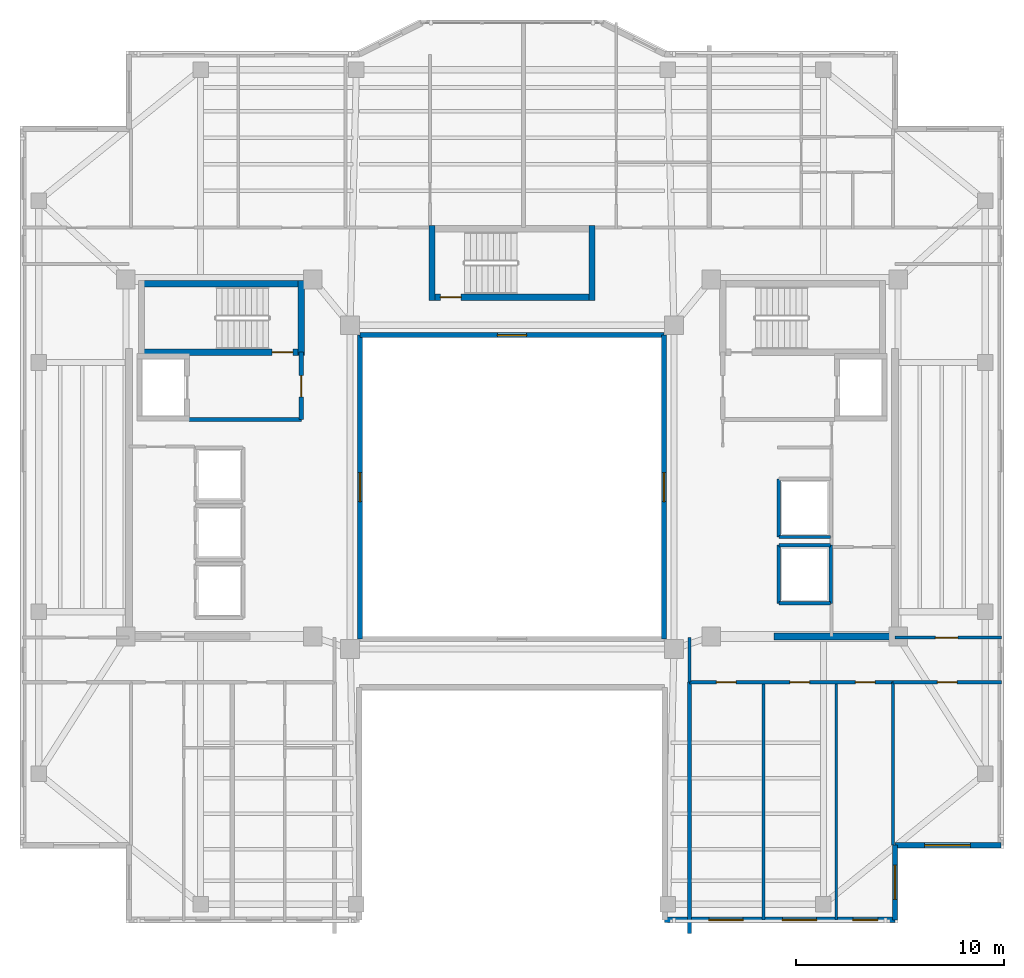
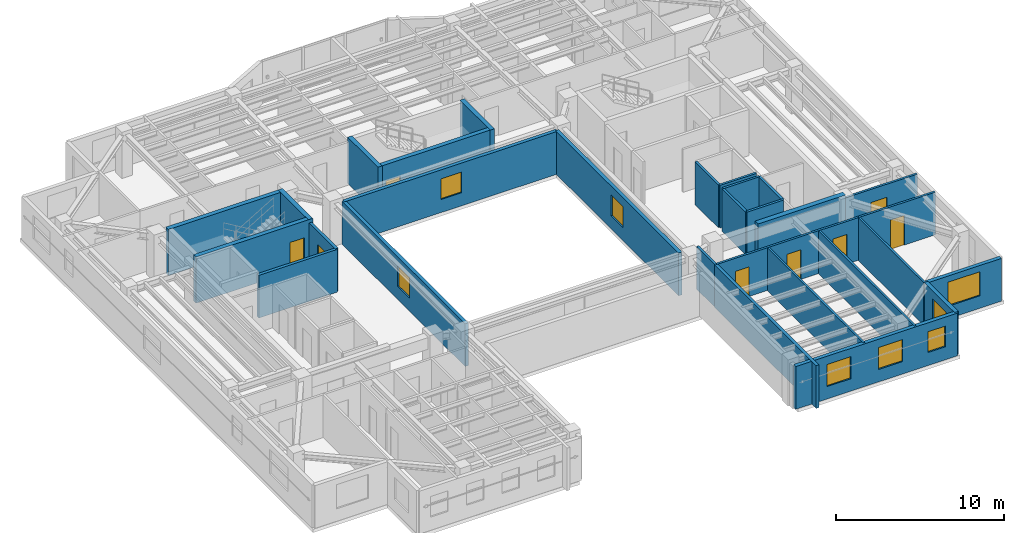
# One storey, part 5 of 11: 29 walls, 8 doors, 8 windows, 16 openings.
"""IFC4 building model written with IfcOpenShell, lengths in metres."""

from ifc_helpers import new_model, si_unit, direction, frame, frame_2d, origin, place, context, subcontext, project, spatial, rectangle, extrude, material, layer, layer_set, type_object, element, fill, save


model = new_model("IFC4")

# Units and contexts
model_context = context("Model", 3, precision=1e-05, world=origin(), true_north=direction((0.0, 1.0)))
body_context = subcontext(model_context, "Body", "Model", "MODEL_VIEW")
ifc_project = project(units=[si_unit("LENGTHUNIT", "METRE"), si_unit("AREAUNIT", "SQUARE_METRE"), si_unit("VOLUMEUNIT", "CUBIC_METRE"), si_unit("PLANEANGLEUNIT", "RADIAN"), si_unit("MASSUNIT", "GRAM", prefix="KILO")], contexts=[model_context])

# Site, building, storey
site_placement = place(None, origin())
site = spatial("IfcSite", under=ifc_project, at=site_placement, CompositionType="ELEMENT")
building_placement = place(site_placement, origin())
building = spatial("IfcBuilding", under=site, at=building_placement, Name="Tarnavaz Court Tower", CompositionType="ELEMENT")
storey_placement = place(building_placement, frame((0.0, 0.0, 213.699951171875)))
storey = spatial("IfcBuildingStorey", under=building, at=storey_placement, Name="L58", CompositionType="ELEMENT", Elevation=213.699951171875)

# Wall
ifc_material_1 = material(Name="Concrete C50/60", Category="concrete")
ifc_layer_1 = layer(ifc_material_1, 0.300048828125)
ifc_layer_set_1 = layer_set([ifc_layer_1], Name="Concrete C50/60")
wall_type_1 = type_object("IfcWallType", Name="WL-CORE-300-C50", PredefinedType="SHEAR", material=ifc_layer_set_1)
wall_1_placement = place(storey_placement, frame((-18.0, 9.7900390625, 0.0), z_axis=(0.0, 0.0, 1.0), x_axis=(1.0, 0.0, 0.0)))
element("IfcWall", 1, at=wall_1_placement, inside=storey, type_object=wall_type_1, Name="L58 West Stair Core Wall 001", PredefinedType="SHEAR", context=body_context, shape_type="SweptSolid", body=[
    extrude(rectangle(XDim=8.0, YDim=0.300048828125, at=frame_2d((4.0, 0.0))), origin(), (0.0, 0.0, 1.0), 3.35009765625),
])

# Wall, opening, door
wall_2_placement = place(storey_placement, frame((-18.0, 6.5, 0.0), z_axis=(0.0, 0.0, 1.0), x_axis=(1.0, 0.0, 0.0)))
wall_2 = element("IfcWall", 2, at=wall_2_placement, inside=storey, type_object=wall_type_1, Name="L58 West Stair Core Wall 002", PredefinedType="SHEAR", context=body_context, shape_type="SweptSolid", body=[
    extrude(rectangle(XDim=8.0, YDim=0.300048828125, at=frame_2d((4.0, 0.0))), origin(), (0.0, 0.0, 1.0), 3.35009765625),
])
opening_1_placement = place(wall_2_placement, frame((6.449951171875, 0.0, 0.0)))
opening_1 = element("IfcOpeningElement", 3, at=opening_1_placement, cuts=wall_2, Name="Opening D01", PredefinedType="OPENING", context=body_context, shape_type="SweptSolid", body=[
    extrude(rectangle(XDim=1.0, YDim=2.14990234375, at=frame_2d((0.5, 1.074951171875))), frame((0.0, 0.159912109375, 0.0), z_axis=(0.0, -1.0, 0.0), x_axis=(1.0, 0.0, 0.0)), (0.0, 0.0, 1.0), 0.320068359375),
])
ifc_material_2 = material(Name="Fire-Rated Hardwood Timber Core", Category="wood")
door_type_1 = type_object("IfcDoorType", Name="DR-FD90-1000", OperationType="NOTDEFINED", PredefinedType="DOOR", material=ifc_material_2)
door_1_placement = place(opening_1_placement, origin())
door_1 = element("IfcDoor", 4, at=door_1_placement, inside=storey, type_object=door_type_1, Name="L58 Stair ST-W1 Exit Door", OperationType="SINGLE_SWING_LEFT", OverallHeight=2.14990234375, OverallWidth=1.0, PredefinedType="DOOR", context=body_context, shape_type="SweptSolid", body=[
    extrude(rectangle(XDim=1.0, YDim=2.14990234375, at=frame_2d((0.5, 1.074951171875))), frame((0.0, 0.02490234375, 0.0), z_axis=(0.0, -1.0, 0.0), x_axis=(1.0, 0.0, 0.0)), (0.0, 0.0, 1.0), 0.050048828125),
])
fill(opening_1, door_1)

# Wall
wall_3_placement = place(storey_placement, frame((-10.14990234375, 6.35009765625, 0.0), z_axis=(0.0, 0.0, 1.0), x_axis=(0.0, 1.0, 0.0)))
element("IfcWall", 5, at=wall_3_placement, inside=storey, type_object=wall_type_1, Name="L58 West Stair Core Wall 004", PredefinedType="SHEAR", context=body_context, shape_type="SweptSolid", body=[
    extrude(rectangle(XDim=3.58984375, YDim=0.300048828125, at=frame_2d((1.794921875, 0.0))), origin(), (0.0, 0.0, 1.0), 3.35009765625),
])

# Wall, opening, door
wall_4_placement = place(storey_placement, frame((-4.0, 9.14990234375, 0.0), z_axis=(0.0, 0.0, 1.0), x_axis=(1.0, 0.0, 0.0)))
wall_4 = element("IfcWall", 6, at=wall_4_placement, inside=storey, type_object=wall_type_1, Name="L58 North Stair Core Wall 010", PredefinedType="SHEAR", context=body_context, shape_type="SweptSolid", body=[
    extrude(rectangle(XDim=8.0, YDim=0.300048828125, at=frame_2d((4.0, 0.0))), origin(), (0.0, 0.0, 1.0), 3.35009765625),
])
opening_2_placement = place(wall_4_placement, frame((0.550048828125, 0.0, 0.0)))
opening_2 = element("IfcOpeningElement", 7, at=opening_2_placement, cuts=wall_4, Name="Opening D01", PredefinedType="OPENING", context=body_context, shape_type="SweptSolid", body=[
    extrude(rectangle(XDim=1.0, YDim=2.14990234375, at=frame_2d((0.5, 1.074951171875))), frame((0.0, 0.159912109375, 0.0), z_axis=(0.0, -1.0, 0.0), x_axis=(1.0, 0.0, 0.0)), (0.0, 0.0, 1.0), 0.320068359375),
])
door_2_placement = place(opening_2_placement, origin())
door_2 = element("IfcDoor", 8, at=door_2_placement, inside=storey, type_object=door_type_1, Name="L58 Stair ST-N1 Exit Door", OperationType="SINGLE_SWING_LEFT", OverallHeight=2.14990234375, OverallWidth=1.0, PredefinedType="DOOR", context=body_context, shape_type="SweptSolid", body=[
    extrude(rectangle(XDim=1.0, YDim=2.14990234375, at=frame_2d((0.5, 1.074951171875))), frame((0.0, 0.02490234375, 0.0), z_axis=(0.0, -1.0, 0.0), x_axis=(1.0, 0.0, 0.0)), (0.0, 0.0, 1.0), 0.050048828125),
])
fill(opening_2, door_2)

# Walls
for number, where, z_axis, x_axis, name in (
    (9, (-3.85009765625, 9.0, 0.0), (0.0, 0.0, 1.0), (0.0, 1.0, 0.0), "L58 North Stair Core Wall 011"),
    (10, (3.85009765625, 9.0, 0.0), (0.0, 0.0, 1.0), (0.0, 1.0, 0.0), "L58 North Stair Core Wall 012"),
):
    element("IfcWall", number, at=place(storey_placement, frame(where, z_axis=z_axis, x_axis=x_axis)), inside=storey, type_object=wall_type_1, Name=name, PredefinedType="SHEAR", context=body_context, shape_type="SweptSolid", body=[
        extrude(rectangle(XDim=3.590087890625, YDim=0.300048828125, at=frame_2d((1.794921875, 0.0))), origin(), (0.0, 0.0, 1.0), 3.35009765625),
    ])
ifc_layer_2 = layer(ifc_material_1, 0.35009765625)
ifc_layer_set_2 = layer_set([ifc_layer_2], Name="Concrete C50/60")
wall_type_2 = type_object("IfcWallType", Name="WL-CORE-350-C50", PredefinedType="SHEAR", material=ifc_layer_set_2)
wall_5_placement = place(storey_placement, frame((12.625, -7.199951171875, 0.0), z_axis=(0.0, 0.0, 1.0), x_axis=(1.0, 0.0, 0.0)))
element("IfcWall", 11, at=wall_5_placement, inside=storey, type_object=wall_type_2, Name="L58 East Core South Shear Wall 048", PredefinedType="SHEAR", context=body_context, shape_type="SweptSolid", body=[
    extrude(rectangle(XDim=6.0, YDim=0.35009765625, at=frame_2d((3.0, 0.0))), origin(), (0.0, 0.0, 1.0), 3.35009765625),
])

# Wall, opening, window
ifc_material_3 = material(Name="Precast Concrete C40/50", Category="concrete")
ifc_layer_3 = layer(ifc_material_3, 0.260009765625)
ifc_layer_set_3 = layer_set([ifc_layer_3], Name="Precast Concrete C40/50")
wall_type_3 = type_object("IfcWallType", Name="WL-EXT-260", PredefinedType="SOLIDWALL", material=ifc_layer_set_3)
wall_6_placement = place(storey_placement, frame((23.550048828125, -17.25, 0.0), z_axis=(0.0, 0.0, 1.0), x_axis=(-1.0, 0.0, 0.0)))
wall_6 = element("IfcWall", 12, at=wall_6_placement, inside=storey, type_object=wall_type_3, Name="L58 Exterior Terracotta Facade Wall 13", PredefinedType="SOLIDWALL", context=body_context, shape_type="SweptSolid", body=[
    extrude(rectangle(XDim=5.10009765625, YDim=0.260009765625, at=frame_2d((2.550048828125, 0.0))), origin(), (0.0, 0.0, 1.0), 3.10009765625),
])
opening_3_placement = place(wall_6_placement, frame((1.47509765625, 0.0, 0.89990234375)))
opening_3 = element("IfcOpeningElement", 13, at=opening_3_placement, cuts=wall_6, Name="Opening W07", PredefinedType="OPENING", context=body_context, shape_type="SweptSolid", body=[
    extrude(rectangle(XDim=2.199951171875, YDim=1.75, at=frame_2d((1.10009765625, 0.875))), frame((0.0, 0.139892578125, 0.0), z_axis=(0.0, -1.0, 0.0), x_axis=(1.0, 0.0, 0.0)), (0.0, 0.0, 1.0), 0.280029296875),
])
ifc_material_4 = material(Name="Double-Glazed Solar Low-E Glass", Category="glass")
window_type_1 = type_object("IfcWindowType", Name="WN-APT-2200", PartitioningType="TRIPLE_PANEL_VERTICAL", PredefinedType="WINDOW", material=ifc_material_4)
window_1_placement = place(opening_3_placement, origin())
window_1 = element("IfcWindow", 14, at=window_1_placement, inside=storey, type_object=window_type_1, Name="L58 South-East Corner Reading Room Window", OverallHeight=1.75, OverallWidth=2.199951171875, PartitioningType="SINGLE_PANEL", PredefinedType="WINDOW", context=body_context, shape_type="SweptSolid", body=[
    extrude(rectangle(XDim=2.199951171875, YDim=1.75, at=frame_2d((1.10009765625, 0.875))), frame((0.0, 0.030029296875, 0.0), z_axis=(0.0, -1.0, 0.0), x_axis=(1.0, 0.0, 0.0)), (0.0, 0.0, 1.0), 0.06005859375),
])
fill(opening_3, window_1)

wall_7_placement = place(storey_placement, frame((18.449951171875, -17.25, 0.0), z_axis=(0.0, 0.0, 1.0), x_axis=(0.0, -1.0, 0.0)))
wall_7 = element("IfcWall", 15, at=wall_7_placement, inside=storey, type_object=wall_type_3, Name="L58 Exterior Terracotta Facade Wall 14", PredefinedType="SOLIDWALL", context=body_context, shape_type="SweptSolid", body=[
    extrude(rectangle(XDim=3.60009765625, YDim=0.260009765625, at=frame_2d((1.800048828125, 0.0))), origin(), (0.0, 0.0, 1.0), 3.10009765625),
])
opening_4_placement = place(wall_7_placement, frame((0.95751953125, 0.0, 0.89990234375)))
opening_4 = element("IfcOpeningElement", 16, at=opening_4_placement, cuts=wall_7, Name="Opening W02", PredefinedType="OPENING", context=body_context, shape_type="SweptSolid", body=[
    extrude(rectangle(XDim=1.64990234375, YDim=1.60009765625, at=frame_2d((0.824951171875, 0.800048828125))), frame((0.0, 0.139892578125, 0.0), z_axis=(0.0, -1.0, 0.0), x_axis=(1.0, 0.0, 0.0)), (0.0, 0.0, 1.0), 0.280029296875),
])
window_type_2 = type_object("IfcWindowType", Name="WN-APT-1650", PartitioningType="DOUBLE_PANEL_VERTICAL", PredefinedType="WINDOW", material=ifc_material_4)
window_2_placement = place(opening_4_placement, origin())
window_2 = element("IfcWindow", 17, at=window_2_placement, inside=storey, type_object=window_type_2, Name="L58 Shared Community Tea Pantry Window", OverallHeight=1.60009765625, OverallWidth=1.64990234375, PartitioningType="SINGLE_PANEL", PredefinedType="WINDOW", context=body_context, shape_type="SweptSolid", body=[
    extrude(rectangle(XDim=1.64990234375, YDim=1.60009765625, at=frame_2d((0.824951171875, 0.800048828125))), frame((0.0, 0.030029296875, 0.0), z_axis=(0.0, -1.0, 0.0), x_axis=(1.0, 0.0, 0.0)), (0.0, 0.0, 1.0), 0.06005859375),
])
fill(opening_4, window_2)

# Wall, openings, windows
wall_8_placement = place(storey_placement, frame((18.449951171875, -20.85009765625, 0.0), z_axis=(0.0, 0.0, 1.0), x_axis=(-1.0, 0.0, 0.0)))
wall_8 = element("IfcWall", 18, at=wall_8_placement, inside=storey, type_object=wall_type_3, Name="L58 Exterior Terracotta Facade Wall 15", PredefinedType="SOLIDWALL", context=body_context, shape_type="SweptSolid", body=[
    extrude(rectangle(XDim=11.099853515625, YDim=0.260009765625, at=frame_2d((5.5498046875, 0.0))), origin(), (0.0, 0.0, 1.0), 3.10009765625),
])
opening_5_placement = place(wall_8_placement, frame((0.831298828125, 0.0, 0.949951171875)))
opening_5 = element("IfcOpeningElement", 19, at=opening_5_placement, cuts=wall_8, Name="Opening W05", PredefinedType="OPENING", context=body_context, shape_type="SweptSolid", body=[
    extrude(rectangle(XDim=1.199951171875, YDim=1.5, at=frame_2d((0.60009765625, 0.75))), frame((0.0, 0.139892578125, 0.0), z_axis=(0.0, -1.0, 0.0), x_axis=(1.0, 0.0, 0.0)), (0.0, 0.0, 1.0), 0.280029296875),
])
opening_6_placement = place(wall_8_placement, frame((3.770751953125, 0.0, 0.89990234375)))
opening_6 = element("IfcOpeningElement", 20, at=opening_6_placement, cuts=wall_8, Name="Opening W02", PredefinedType="OPENING", context=body_context, shape_type="SweptSolid", body=[
    extrude(rectangle(XDim=1.64990234375, YDim=1.60009765625, at=frame_2d((0.824951171875, 0.800048828125))), frame((0.0, 0.139892578125, 0.0), z_axis=(0.0, -1.0, 0.0), x_axis=(1.0, 0.0, 0.0)), (0.0, 0.0, 1.0), 0.280029296875),
])
opening_7_placement = place(wall_8_placement, frame((7.311767578125, 0.0, 0.89990234375)))
opening_7 = element("IfcOpeningElement", 21, at=opening_7_placement, cuts=wall_8, Name="Opening W02", PredefinedType="OPENING", context=body_context, shape_type="SweptSolid", body=[
    extrude(rectangle(XDim=1.64990234375, YDim=1.60009765625, at=frame_2d((0.824951171875, 0.800048828125))), frame((0.0, 0.139892578125, 0.0), z_axis=(0.0, -1.0, 0.0), x_axis=(1.0, 0.0, 0.0)), (0.0, 0.0, 1.0), 0.280029296875),
])
window_type_3 = type_object("IfcWindowType", Name="WN-APT-1200", PartitioningType="SINGLE_PANEL", PredefinedType="WINDOW", material=ifc_material_4)
window_3_placement = place(opening_5_placement, origin())
window_3 = element("IfcWindow", 22, at=window_3_placement, inside=storey, type_object=window_type_3, Name="L58 Shared Community Tea Pantry Window", OverallHeight=1.5, OverallWidth=1.199951171875, PartitioningType="SINGLE_PANEL", PredefinedType="WINDOW", context=body_context, shape_type="SweptSolid", body=[
    extrude(rectangle(XDim=1.199951171875, YDim=1.5, at=frame_2d((0.60009765625, 0.75))), frame((0.0, 0.030029296875, 0.0), z_axis=(0.0, -1.0, 0.0), x_axis=(1.0, 0.0, 0.0)), (0.0, 0.0, 1.0), 0.06005859375),
])
fill(opening_5, window_3)
window_4_placement = place(opening_6_placement, origin())
window_4 = element("IfcWindow", 23, at=window_4_placement, inside=storey, type_object=window_type_2, Name="L58 Children Playroom and Daycare Window", OverallHeight=1.60009765625, OverallWidth=1.64990234375, PartitioningType="SINGLE_PANEL", PredefinedType="WINDOW", context=body_context, shape_type="SweptSolid", body=[
    extrude(rectangle(XDim=1.64990234375, YDim=1.60009765625, at=frame_2d((0.824951171875, 0.800048828125))), frame((0.0, 0.030029296875, 0.0), z_axis=(0.0, -1.0, 0.0), x_axis=(1.0, 0.0, 0.0)), (0.0, 0.0, 1.0), 0.06005859375),
])
fill(opening_6, window_4)
window_5_placement = place(opening_7_placement, origin())
window_5 = element("IfcWindow", 24, at=window_5_placement, inside=storey, type_object=window_type_2, Name="L58 Resident Fitness and Yoga Studio Window", OverallHeight=1.60009765625, OverallWidth=1.64990234375, PartitioningType="SINGLE_PANEL", PredefinedType="WINDOW", context=body_context, shape_type="SweptSolid", body=[
    extrude(rectangle(XDim=1.64990234375, YDim=1.60009765625, at=frame_2d((0.824951171875, 0.800048828125))), frame((0.0, 0.030029296875, 0.0), z_axis=(0.0, -1.0, 0.0), x_axis=(1.0, 0.0, 0.0)), (0.0, 0.0, 1.0), 0.06005859375),
])
fill(opening_7, window_5)

# Wall, openings, doors
ifc_material_5 = material(Name="Gypsum Fire-Board on Acoustic Metal Stud", Category="masonry")
ifc_layer_4 = layer(ifc_material_5, 0.14990234375)
ifc_layer_set_4 = layer_set([ifc_layer_4], Name="Gypsum Fire-Board on Acoustic Metal Stud")
wall_type_4 = type_object("IfcWallType", Name="WL-FIRE-150", PredefinedType="PARTITIONING", material=ifc_layer_set_4)
wall_9_placement = place(storey_placement, frame((8.550048828125, -9.39990234375, 0.0), z_axis=(0.0, 0.0, 1.0), x_axis=(1.0, 0.0, 0.0)))
wall_9 = element("IfcWall", 25, at=wall_9_placement, inside=storey, type_object=wall_type_4, Name="L58 SE Lobby Wall 057", PredefinedType="PARTITIONING", context=body_context, shape_type="SweptSolid", body=[
    extrude(rectangle(XDim=9.800048828125, YDim=0.14990234375, at=frame_2d((4.89990234375, 0.0))), origin(), (0.0, 0.0, 1.0), 3.10009765625),
])
opening_8_placement = place(wall_9_placement, frame((1.300048828125, 0.0, 0.0)))
opening_8 = element("IfcOpeningElement", 26, at=opening_8_placement, cuts=wall_9, Name="Opening D13", PredefinedType="OPENING", context=body_context, shape_type="SweptSolid", body=[
    extrude(rectangle(XDim=0.949951171875, YDim=2.14990234375, at=frame_2d((0.47509765625, 1.074951171875))), frame((0.0, 0.0849609375, 0.0), z_axis=(0.0, -1.0, 0.0), x_axis=(1.0, 0.0, 0.0)), (0.0, 0.0, 1.0), 0.169921875),
])
opening_9_placement = place(wall_9_placement, frame((4.840087890625, 0.0, 0.0)))
opening_9 = element("IfcOpeningElement", 27, at=opening_9_placement, cuts=wall_9, Name="Opening D13", PredefinedType="OPENING", context=body_context, shape_type="SweptSolid", body=[
    extrude(rectangle(XDim=0.949951171875, YDim=2.14990234375, at=frame_2d((0.47509765625, 1.074951171875))), frame((0.0, 0.0849609375, 0.0), z_axis=(0.0, -1.0, 0.0), x_axis=(1.0, 0.0, 0.0)), (0.0, 0.0, 1.0), 0.169921875),
])
opening_10_placement = place(wall_9_placement, frame((7.989990234375, 0.0, 0.0)))
opening_10 = element("IfcOpeningElement", 28, at=opening_10_placement, cuts=wall_9, Name="Opening D13", PredefinedType="OPENING", context=body_context, shape_type="SweptSolid", body=[
    extrude(rectangle(XDim=0.949951171875, YDim=2.14990234375, at=frame_2d((0.47509765625, 1.074951171875))), frame((0.0, 0.0849609375, 0.0), z_axis=(0.0, -1.0, 0.0), x_axis=(1.0, 0.0, 0.0)), (0.0, 0.0, 1.0), 0.169921875),
])
ifc_material_6 = material(Name="Engineered Oak Timber", Category="wood")
door_type_2 = type_object("IfcDoorType", Name="DR-INT-950", OperationType="NOTDEFINED", PredefinedType="DOOR", material=ifc_material_6)
door_3_placement = place(opening_8_placement, origin())
door_3 = element("IfcDoor", 29, at=door_3_placement, inside=storey, type_object=door_type_2, Name="L58 Resident Fitness and Yoga Studio Door", OperationType="SINGLE_SWING_RIGHT", OverallHeight=2.14990234375, OverallWidth=0.949951171875, PredefinedType="DOOR", context=body_context, shape_type="SweptSolid", body=[
    extrude(rectangle(XDim=0.949951171875, YDim=2.14990234375, at=frame_2d((0.47509765625, 1.074951171875))), frame((0.0, 0.02490234375, 0.0), z_axis=(0.0, -1.0, 0.0), x_axis=(1.0, 0.0, 0.0)), (0.0, 0.0, 1.0), 0.050048828125),
])
fill(opening_8, door_3)
door_4_placement = place(opening_9_placement, origin())
door_4 = element("IfcDoor", 30, at=door_4_placement, inside=storey, type_object=door_type_2, Name="L58 Children Playroom and Daycare Door", OperationType="SINGLE_SWING_LEFT", OverallHeight=2.14990234375, OverallWidth=0.949951171875, PredefinedType="DOOR", context=body_context, shape_type="SweptSolid", body=[
    extrude(rectangle(XDim=0.949951171875, YDim=2.14990234375, at=frame_2d((0.47509765625, 1.074951171875))), frame((0.0, 0.02490234375, 0.0), z_axis=(0.0, -1.0, 0.0), x_axis=(1.0, 0.0, 0.0)), (0.0, 0.0, 1.0), 0.050048828125),
])
fill(opening_9, door_4)
door_5_placement = place(opening_10_placement, origin())
door_5 = element("IfcDoor", 31, at=door_5_placement, inside=storey, type_object=door_type_2, Name="L58 Shared Community Tea Pantry Door", OperationType="SINGLE_SWING_RIGHT", OverallHeight=2.14990234375, OverallWidth=0.949951171875, PredefinedType="DOOR", context=body_context, shape_type="SweptSolid", body=[
    extrude(rectangle(XDim=0.949951171875, YDim=2.14990234375, at=frame_2d((0.47509765625, 1.074951171875))), frame((0.0, 0.02490234375, 0.0), z_axis=(0.0, -1.0, 0.0), x_axis=(1.0, 0.0, 0.0)), (0.0, 0.0, 1.0), 0.050048828125),
])
fill(opening_10, door_5)

# Wall
wall_10_placement = place(storey_placement, frame((8.550048828125, -9.39990234375, 0.0), z_axis=(0.0, 0.0, 1.0), x_axis=(0.0, 1.0, 0.0)))
element("IfcWall", 32, at=wall_10_placement, inside=storey, type_object=wall_type_4, Name="L58 East Spine End Wall 059", PredefinedType="PARTITIONING", context=body_context, shape_type="SweptSolid", body=[
    extrude(rectangle(XDim=2.14990234375, YDim=0.14990234375, at=frame_2d((1.074951171875, 0.0))), origin(), (0.0, 0.0, 1.0), 3.10009765625),
])

# Wall, opening, door
wall_11_placement = place(storey_placement, frame((18.449951171875, -7.25, 0.0), z_axis=(0.0, 0.0, 1.0), x_axis=(1.0, 0.0, 0.0)))
wall_11 = element("IfcWall", 33, at=wall_11_placement, inside=storey, type_object=wall_type_4, Name="L58 Interior Partition 086", PredefinedType="PARTITIONING", context=body_context, shape_type="SweptSolid", body=[
    extrude(rectangle(XDim=5.130126953125, YDim=0.14990234375, at=frame_2d((2.56494140625, 0.0))), origin(), (0.0, 0.0, 1.0), 3.10009765625),
])
opening_11_placement = place(wall_11_placement, frame((1.949951171875, 0.0, 0.0)))
opening_11 = element("IfcOpeningElement", 34, at=opening_11_placement, cuts=wall_11, Name="Opening D12", PredefinedType="OPENING", context=body_context, shape_type="SweptSolid", body=[
    extrude(rectangle(XDim=1.080078125, YDim=2.14990234375, at=frame_2d((0.5400390625, 1.074951171875))), frame((0.0, 0.0849609375, 0.0), z_axis=(0.0, -1.0, 0.0), x_axis=(1.0, 0.0, 0.0)), (0.0, 0.0, 1.0), 0.169921875),
])
door_type_3 = type_object("IfcDoorType", Name="DR-INT-1100", OperationType="NOTDEFINED", PredefinedType="DOOR", material=ifc_material_6)
door_6_placement = place(opening_11_placement, origin())
door_6 = element("IfcDoor", 35, at=door_6_placement, inside=storey, type_object=door_type_3, Name="L58 East Daycare Playroom Door", OperationType="SINGLE_SWING_RIGHT", OverallHeight=2.14990234375, OverallWidth=1.080078125, PredefinedType="DOOR", context=body_context, shape_type="SweptSolid", body=[
    extrude(rectangle(XDim=1.080078125, YDim=2.14990234375, at=frame_2d((0.5400390625, 1.074951171875))), frame((0.0, 0.02490234375, 0.0), z_axis=(0.0, -1.0, 0.0), x_axis=(1.0, 0.0, 0.0)), (0.0, 0.0, 1.0), 0.050048828125),
])
fill(opening_11, door_6)

wall_12_placement = place(storey_placement, frame((18.35009765625, -9.39990234375, 0.0), z_axis=(0.0, 0.0, 1.0), x_axis=(1.0, 0.0, 0.0)))
wall_12 = element("IfcWall", 36, at=wall_12_placement, inside=storey, type_object=wall_type_4, Name="L58 Interior Partition 095", PredefinedType="PARTITIONING", context=body_context, shape_type="SweptSolid", body=[
    extrude(rectangle(XDim=5.22998046875, YDim=0.14990234375, at=frame_2d((2.614990234375, 0.0))), origin(), (0.0, 0.0, 1.0), 3.10009765625),
])
opening_12_placement = place(wall_12_placement, frame((2.139892578125, 0.0, 0.0)))
opening_12 = element("IfcOpeningElement", 37, at=opening_12_placement, cuts=wall_12, Name="Opening D13", PredefinedType="OPENING", context=body_context, shape_type="SweptSolid", body=[
    extrude(rectangle(XDim=0.949951171875, YDim=2.14990234375, at=frame_2d((0.47509765625, 1.074951171875))), frame((0.0, 0.0849609375, 0.0), z_axis=(0.0, -1.0, 0.0), x_axis=(1.0, 0.0, 0.0)), (0.0, 0.0, 1.0), 0.169921875),
])
door_7_placement = place(opening_12_placement, origin())
door_7 = element("IfcDoor", 38, at=door_7_placement, inside=storey, type_object=door_type_2, Name="L58 SE Reading Room Door", OperationType="SINGLE_SWING_RIGHT", OverallHeight=2.14990234375, OverallWidth=0.949951171875, PredefinedType="DOOR", context=body_context, shape_type="SweptSolid", body=[
    extrude(rectangle(XDim=0.949951171875, YDim=2.14990234375, at=frame_2d((0.47509765625, 1.074951171875))), frame((0.0, 0.02490234375, 0.0), z_axis=(0.0, -1.0, 0.0), x_axis=(1.0, 0.0, 0.0)), (0.0, 0.0, 1.0), 0.050048828125),
])
fill(opening_12, door_7)

# Wall
ifc_material_7 = material(Name="Autoclaved Aerated Concrete Blockwork", Category="masonry")
ifc_layer_5 = layer(ifc_material_7, 0.199951171875)
ifc_layer_set_5 = layer_set([ifc_layer_5], Name="Autoclaved Aerated Concrete Blockwork")
wall_type_5 = type_object("IfcWallType", Name="WL-FIRE-200", PredefinedType="SOLIDWALL", material=ifc_layer_set_5)
wall_13_placement = place(storey_placement, frame((-15.550048828125, 3.25, 0.0), z_axis=(0.0, 0.0, 1.0), x_axis=(1.0, 0.0, 0.0)))
element("IfcWall", 39, at=wall_13_placement, inside=storey, type_object=wall_type_5, Name="L58 West Firefighting Lobby Wall 013", PredefinedType="SOLIDWALL", context=body_context, shape_type="SweptSolid", body=[
    extrude(rectangle(XDim=5.400146484375, YDim=0.199951171875, at=frame_2d((2.7001953125, 0.0))), origin(), (0.0, 0.0, 1.0), 3.10009765625),
])

# Wall, opening, door
wall_14_placement = place(storey_placement, frame((-10.14990234375, 3.25, 0.0), z_axis=(0.0, 0.0, 1.0), x_axis=(0.0, 1.0, 0.0)))
wall_14 = element("IfcWall", 40, at=wall_14_placement, inside=storey, type_object=wall_type_5, Name="L58 West Firefighting Lobby Wall 014", PredefinedType="SOLIDWALL", context=body_context, shape_type="SweptSolid", body=[
    extrude(rectangle(XDim=3.25, YDim=0.199951171875, at=frame_2d((1.625, 0.0))), origin(), (0.0, 0.0, 1.0), 3.10009765625),
])
opening_13_placement = place(wall_14_placement, frame((1.10009765625, 0.0, 0.0)))
opening_13 = element("IfcOpeningElement", 41, at=opening_13_placement, cuts=wall_14, Name="Opening D05", PredefinedType="OPENING", context=body_context, shape_type="SweptSolid", body=[
    extrude(rectangle(XDim=1.02001953125, YDim=2.14990234375, at=frame_2d((0.510009765625, 1.074951171875))), frame((0.0, 0.10986328125, 0.0), z_axis=(0.0, -1.0, 0.0), x_axis=(1.0, 0.0, 0.0)), (0.0, 0.0, 1.0), 0.219970703125),
])
door_type_4 = type_object("IfcDoorType", Name="DR-FD60-1000", OperationType="NOTDEFINED", PredefinedType="DOOR", material=ifc_material_2)
door_8_placement = place(opening_13_placement, origin())
door_8 = element("IfcDoor", 42, at=door_8_placement, inside=storey, type_object=door_type_4, Name="L58 West Firefighting Lobby Door", OperationType="SINGLE_SWING_RIGHT", OverallHeight=2.14990234375, OverallWidth=1.02001953125, PredefinedType="DOOR", context=body_context, shape_type="SweptSolid", body=[
    extrude(rectangle(XDim=1.02001953125, YDim=2.14990234375, at=frame_2d((0.510009765625, 1.074951171875))), frame((0.0, 0.02490234375, 0.0), z_axis=(0.0, -1.0, 0.0), x_axis=(1.0, 0.0, 0.0)), (0.0, 0.0, 1.0), 0.050048828125),
])
fill(opening_13, door_8)

# Walls
wall_15_placement = place(storey_placement, frame((8.550048828125, -21.50390625, 0.0), z_axis=(0.0, 0.0, 1.0), x_axis=(0.0, 1.0, 0.0)))
element("IfcWall", 43, at=wall_15_placement, inside=storey, type_object=wall_type_5, Name="L58 Party Wall 083", PredefinedType="SOLIDWALL", context=body_context, shape_type="SweptSolid", body=[
    extrude(rectangle(XDim=12.10400390625, YDim=0.199951171875, at=frame_2d((6.052001953125, 0.0))), origin(), (0.0, 0.0, 1.0), 3.10009765625),
])
ifc_material_8 = material(Name="Gypsum Plasterboard Acoustic Partition", Category="masonry")
ifc_layer_6 = layer(ifc_material_8, 0.139892578125)
ifc_layer_set_6 = layer_set([ifc_layer_6], Name="Gypsum Plasterboard Acoustic Partition")
wall_type_6 = type_object("IfcWallType", Name="WL-PART-150", PredefinedType="PARTITIONING", material=ifc_layer_set_6)
for number, where, z_axis, x_axis, name in (
    (44, (12.110107421875, -20.85009765625, 0.0), (0.0, 0.0, 1.0), (0.0, 1.0, 0.0), "L58 Interior Partition 080"),
    (45, (15.6201171875, -20.85009765625, 0.0), (0.0, 0.0, 1.0), (0.0, 1.0, 0.0), "L58 Interior Partition 081"),
):
    element("IfcWall", number, at=place(storey_placement, frame(where, z_axis=z_axis, x_axis=x_axis)), inside=storey, type_object=wall_type_6, Name=name, PredefinedType="PARTITIONING", context=body_context, shape_type="SweptSolid", body=[
        extrude(rectangle(XDim=11.4501953125, YDim=0.139892578125, at=frame_2d((5.72509765625, 0.0))), origin(), (0.0, 0.0, 1.0), 3.10009765625),
    ])
wall_16_placement = place(storey_placement, frame((18.35009765625, -17.25, 0.0), z_axis=(0.0, 0.0, 1.0), x_axis=(0.0, 1.0, 0.0)))
element("IfcWall", 46, at=wall_16_placement, inside=storey, type_object=wall_type_6, Name="L58 Interior Partition 089", PredefinedType="PARTITIONING", context=body_context, shape_type="SweptSolid", body=[
    extrude(rectangle(XDim=7.85009765625, YDim=0.139892578125, at=frame_2d((3.925048828125, 0.0))), origin(), (0.0, 0.0, 1.0), 3.10009765625),
])
ifc_layer_7 = layer(ifc_material_7, 0.159912109375)
ifc_layer_set_7 = layer_set([ifc_layer_7], Name="Autoclaved Aerated Concrete Blockwork")
wall_type_7 = type_object("IfcWallType", Name="WL-SHAFT-150", PredefinedType="SOLIDWALL", material=ifc_layer_set_7)
for number, where, z_axis, x_axis, name in (
    (47, (12.85009765625, -5.60009765625, 0.0), (0.0, 0.0, 1.0), (0.0, 1.0, 0.0), "L58 Lift PL-OB1 Shaft Wall 037"),
    (48, (15.35009765625, -5.60009765625, 0.0), (0.0, 0.0, 1.0), (0.0, 1.0, 0.0), "L58 Lift PL-OB1 Shaft Wall 038"),
):
    element("IfcWall", number, at=place(storey_placement, frame(where, z_axis=z_axis, x_axis=x_axis)), inside=storey, type_object=wall_type_7, Name=name, PredefinedType="SOLIDWALL", context=body_context, shape_type="SweptSolid", body=[
        extrude(rectangle(XDim=2.800048828125, YDim=0.159912109375, at=frame_2d((1.39990234375, 0.0))), origin(), (0.0, 0.0, 1.0), 3.10009765625),
    ])
for number, where, z_axis, x_axis, name in (
    (49, (12.85009765625, -5.60009765625, 0.0), (0.0, 0.0, 1.0), (1.0, 0.0, 0.0), "L58 Lift PL-OB1 Shaft Wall 039"),
    (50, (12.85009765625, -2.800048828125, 0.0), (0.0, 0.0, 1.0), (1.0, 0.0, 0.0), "L58 Lift PL-OB1 Shaft Wall 040"),
):
    element("IfcWall", number, at=place(storey_placement, frame(where, z_axis=z_axis, x_axis=x_axis)), inside=storey, type_object=wall_type_7, Name=name, PredefinedType="SOLIDWALL", context=body_context, shape_type="SweptSolid", body=[
        extrude(rectangle(XDim=2.5, YDim=0.159912109375, at=frame_2d((1.25, 0.0))), origin(), (0.0, 0.0, 1.0), 3.10009765625),
    ])
wall_17_placement = place(storey_placement, frame((12.85009765625, -2.39990234375, 0.0), z_axis=(0.0, 0.0, 1.0), x_axis=(0.0, 1.0, 0.0)))
element("IfcWall", 51, at=wall_17_placement, inside=storey, type_object=wall_type_7, Name="L58 Lift PL-OB2 Shaft Wall 041", PredefinedType="SOLIDWALL", context=body_context, shape_type="SweptSolid", body=[
    extrude(rectangle(XDim=2.7998046875, YDim=0.159912109375, at=frame_2d((1.39990234375, 0.0))), origin(), (0.0, 0.0, 1.0), 3.10009765625),
])
wall_18_placement = place(storey_placement, frame((12.85009765625, -2.39990234375, 0.0), z_axis=(0.0, 0.0, 1.0), x_axis=(1.0, 0.0, 0.0)))
element("IfcWall", 52, at=wall_18_placement, inside=storey, type_object=wall_type_7, Name="L58 Lift PL-OB2 Shaft Wall 043", PredefinedType="SOLIDWALL", context=body_context, shape_type="SweptSolid", body=[
    extrude(rectangle(XDim=2.5, YDim=0.159912109375, at=frame_2d((1.25, 0.0))), origin(), (0.0, 0.0, 1.0), 3.10009765625),
])

# Wall, opening, window
ifc_layer_8 = layer(ifc_material_3, 0.239990234375)
ifc_layer_set_8 = layer_set([ifc_layer_8], Name="Precast Concrete C40/50")
wall_type_8 = type_object("IfcWallType", Name="WL-WELL-240", PredefinedType="SOLIDWALL", material=ifc_layer_set_8)
wall_19_placement = place(storey_placement, frame((7.320068359375, -7.320068359375, 0.0), z_axis=(0.0, 0.0, 1.0), x_axis=(0.0, 1.0, 0.0)))
wall_19 = element("IfcWall", 53, at=wall_19_placement, inside=storey, type_object=wall_type_8, Name="L58 Badgir Light-Well Exterior Wall E", PredefinedType="SOLIDWALL", context=body_context, shape_type="SweptSolid", body=[
    extrude(rectangle(XDim=14.64013671875, YDim=0.239990234375, at=frame_2d((7.320068359375, 0.0))), origin(), (0.0, 0.0, 1.0), 3.10009765625),
])
opening_14_placement = place(wall_19_placement, frame((6.6201171875, 0.0, 0.949951171875)))
opening_14 = element("IfcOpeningElement", 54, at=opening_14_placement, cuts=wall_19, Name="Opening W13", PredefinedType="OPENING", context=body_context, shape_type="SweptSolid", body=[
    extrude(rectangle(XDim=1.39990234375, YDim=1.5, at=frame_2d((0.699951171875, 0.75))), frame((0.0, 0.1298828125, 0.0), z_axis=(0.0, -1.0, 0.0), x_axis=(1.0, 0.0, 0.0)), (0.0, 0.0, 1.0), 0.260009765625),
])
window_type_4 = type_object("IfcWindowType", Name="WN-WEL-1400", PartitioningType="SINGLE_PANEL", PredefinedType="WINDOW", material=ifc_material_4)
window_6_placement = place(opening_14_placement, origin())
window_6 = element("IfcWindow", 55, at=window_6_placement, inside=storey, type_object=window_type_4, Name="L58 Courtyard Gallery Window E", OverallHeight=1.5, OverallWidth=1.39990234375, PartitioningType="SINGLE_PANEL", PredefinedType="WINDOW", context=body_context, shape_type="SweptSolid", body=[
    extrude(rectangle(XDim=1.39990234375, YDim=1.5, at=frame_2d((0.699951171875, 0.75))), frame((0.0, 0.030029296875, 0.0), z_axis=(0.0, -1.0, 0.0), x_axis=(1.0, 0.0, 0.0)), (0.0, 0.0, 1.0), 0.06005859375),
])
fill(opening_14, window_6)

wall_20_placement = place(storey_placement, frame((7.320068359375, 7.320068359375, 0.0), z_axis=(0.0, 0.0, 1.0), x_axis=(-1.0, 0.0, 0.0)))
wall_20 = element("IfcWall", 56, at=wall_20_placement, inside=storey, type_object=wall_type_8, Name="L58 Badgir Light-Well Exterior Wall N", PredefinedType="SOLIDWALL", context=body_context, shape_type="SweptSolid", body=[
    extrude(rectangle(XDim=14.64013671875, YDim=0.239990234375, at=frame_2d((7.320068359375, 0.0))), origin(), (0.0, 0.0, 1.0), 3.10009765625),
])
opening_15_placement = place(wall_20_placement, frame((6.6201171875, 0.0, 0.949951171875)))
opening_15 = element("IfcOpeningElement", 57, at=opening_15_placement, cuts=wall_20, Name="Opening W13", PredefinedType="OPENING", context=body_context, shape_type="SweptSolid", body=[
    extrude(rectangle(XDim=1.39990234375, YDim=1.5, at=frame_2d((0.699951171875, 0.75))), frame((0.0, 0.1298828125, 0.0), z_axis=(0.0, -1.0, 0.0), x_axis=(1.0, 0.0, 0.0)), (0.0, 0.0, 1.0), 0.260009765625),
])
window_7_placement = place(opening_15_placement, origin())
window_7 = element("IfcWindow", 58, at=window_7_placement, inside=storey, type_object=window_type_4, Name="L58 Courtyard Gallery Window N", OverallHeight=1.5, OverallWidth=1.39990234375, PartitioningType="SINGLE_PANEL", PredefinedType="WINDOW", context=body_context, shape_type="SweptSolid", body=[
    extrude(rectangle(XDim=1.39990234375, YDim=1.5, at=frame_2d((0.699951171875, 0.75))), frame((0.0, 0.030029296875, 0.0), z_axis=(0.0, -1.0, 0.0), x_axis=(1.0, 0.0, 0.0)), (0.0, 0.0, 1.0), 0.06005859375),
])
fill(opening_15, window_7)

wall_21_placement = place(storey_placement, frame((-7.320068359375, 7.320068359375, 0.0), z_axis=(0.0, 0.0, 1.0), x_axis=(0.0, -1.0, 0.0)))
wall_21 = element("IfcWall", 59, at=wall_21_placement, inside=storey, type_object=wall_type_8, Name="L58 Badgir Light-Well Exterior Wall W", PredefinedType="SOLIDWALL", context=body_context, shape_type="SweptSolid", body=[
    extrude(rectangle(XDim=14.64013671875, YDim=0.239990234375, at=frame_2d((7.320068359375, 0.0))), origin(), (0.0, 0.0, 1.0), 3.10009765625),
])
opening_16_placement = place(wall_21_placement, frame((6.6201171875, 0.0, 0.949951171875)))
opening_16 = element("IfcOpeningElement", 60, at=opening_16_placement, cuts=wall_21, Name="Opening W13", PredefinedType="OPENING", context=body_context, shape_type="SweptSolid", body=[
    extrude(rectangle(XDim=1.39990234375, YDim=1.5, at=frame_2d((0.699951171875, 0.75))), frame((0.0, 0.1298828125, 0.0), z_axis=(0.0, -1.0, 0.0), x_axis=(1.0, 0.0, 0.0)), (0.0, 0.0, 1.0), 0.260009765625),
])
window_8_placement = place(opening_16_placement, origin())
window_8 = element("IfcWindow", 61, at=window_8_placement, inside=storey, type_object=window_type_4, Name="L58 Courtyard Gallery Window W", OverallHeight=1.5, OverallWidth=1.39990234375, PartitioningType="SINGLE_PANEL", PredefinedType="WINDOW", context=body_context, shape_type="SweptSolid", body=[
    extrude(rectangle(XDim=1.39990234375, YDim=1.5, at=frame_2d((0.699951171875, 0.75))), frame((0.0, 0.030029296875, 0.0), z_axis=(0.0, -1.0, 0.0), x_axis=(1.0, 0.0, 0.0)), (0.0, 0.0, 1.0), 0.06005859375),
])
fill(opening_16, window_8)

save(model, "model.ifc")
